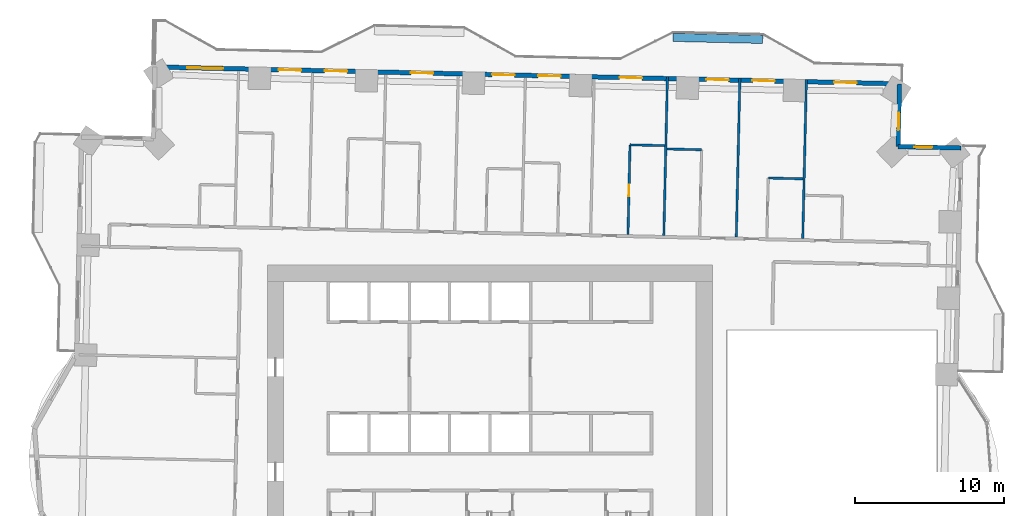
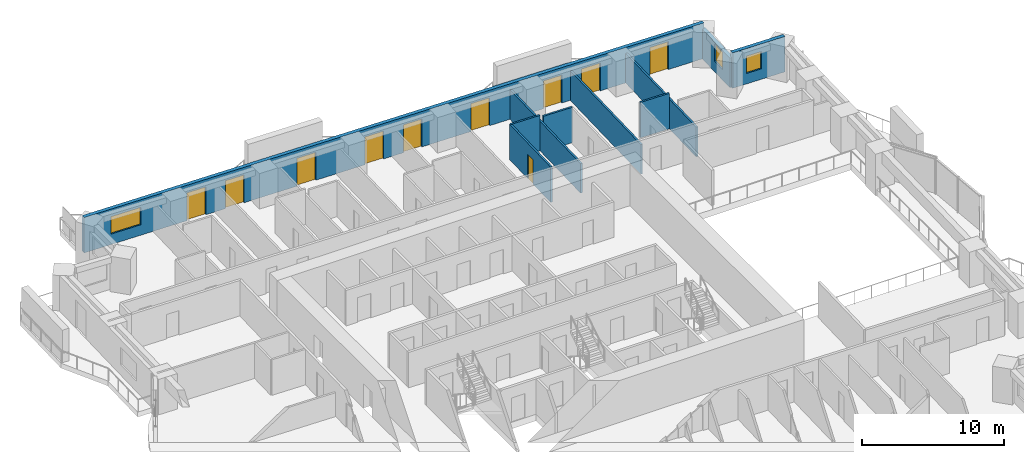
# One storey, part 13 of 19: 11 walls, 10 doors, 3 windows, 13 openings.
"""IFC4 building model written with IfcOpenShell, lengths in metres."""

from ifc_helpers import new_model, si_unit, direction, frame, frame_2d, origin, place, context, subcontext, project, spatial, rectangle, extrude, material, layer, layer_set, type_object, element, fill, save


model = new_model("IFC4")

# Units and contexts
model_context = context("Model", 3, precision=1e-05, world=origin(), true_north=direction((0.0, 1.0)))
body_context = subcontext(model_context, "Body", "Model", "MODEL_VIEW")
ifc_project = project(units=[si_unit("LENGTHUNIT", "METRE"), si_unit("AREAUNIT", "SQUARE_METRE"), si_unit("VOLUMEUNIT", "CUBIC_METRE"), si_unit("PLANEANGLEUNIT", "RADIAN"), si_unit("MASSUNIT", "GRAM", prefix="KILO")], contexts=[model_context])

# Site, building, storey
site_placement = place(None, origin())
site = spatial("IfcSite", under=ifc_project, at=site_placement, CompositionType="ELEMENT")
building_placement = place(site_placement, origin())
building = spatial("IfcBuilding", under=site, at=building_placement, Name="Mangrove Gate Tower", CompositionType="ELEMENT")
storey_placement = place(building_placement, frame((0.0, 0.0, 63.89990234375)))
storey = spatial("IfcBuildingStorey", under=building, at=storey_placement, Name="L15", CompositionType="ELEMENT", Elevation=63.89990234375)

# Wall, opening, window
ifc_material_1 = material(Name="Limestone", Category="masonry")
ifc_layer_1 = layer(ifc_material_1, 0.0400390625, Name="Limestone cladding")
ifc_material_2 = material(Name="Ventilated air gap")
ifc_layer_2 = layer(ifc_material_2, 0.0400390625, Name="Ventilated cavity")
ifc_material_3 = material(Name="Mineral wool insulation")
ifc_layer_3 = layer(ifc_material_3, 0.06005859375, Name="Insulation")
ifc_material_4 = material(Name="Breather membrane")
ifc_layer_4 = layer(ifc_material_4, 0.001953125, Name="Breather membrane")
ifc_material_5 = material(Name="Concrete C20/25 blockwork", Category="masonry")
ifc_layer_5 = layer(ifc_material_5, 0.14990234375, Name="Blockwork backing wall")
ifc_material_6 = material(Name="Gypsum plaster")
ifc_layer_6 = layer(ifc_material_6, 0.008056640625, Name="Internal plaster")
ifc_layer_set_1 = layer_set([ifc_layer_1, ifc_layer_2, ifc_layer_3, ifc_layer_4, ifc_layer_5, ifc_layer_6], Name="External wall 300 limestone cladding")
wall_type_1 = type_object("IfcWallType", Name="External wall 300 limestone cladding", PredefinedType="SOLIDWALL", material=ifc_layer_set_1)
wall_1_placement = place(storey_placement, frame((31.510986328125, 19.72705078125, 0.0), z_axis=(0.0, 0.0, 1.0), x_axis=(-0.999744320311, 0.022611811187, 0.0)))
wall_1 = element("IfcWall", 1, at=wall_1_placement, inside=storey, type_object=wall_type_1, Name="WALL-L15-N3", PredefinedType="SOLIDWALL", context=body_context, shape_type="SweptSolid", body=[
    extrude(rectangle(XDim=4.199951171875, YDim=0.300048828125, at=frame_2d((2.10009765625, 0.0))), origin(), (0.0, 0.0, 1.0), 3.050048828125),
])
opening_1_placement = place(wall_1_placement, frame((1.902099609375, 0.0, 0.89990234375)))
opening_1 = element("IfcOpeningElement", 2, at=opening_1_placement, cuts=wall_1, Name="Opening W1", PredefinedType="OPENING", context=body_context, shape_type="SweptSolid", body=[
    extrude(rectangle(XDim=1.199951171875, YDim=1.5, at=frame_2d((0.60009765625, 0.75))), frame((0.0, 0.159912109375, 0.0), z_axis=(0.0, -1.0, 0.0), x_axis=(1.0, 0.0, 0.0)), (0.0, 0.0, 1.0), 0.320068359375),
])
ifc_material_7 = material(Name="Aluminium frame with double-glazed low-e glass", Category="aluminium")
window_type_1 = type_object("IfcWindowType", Name="Side lite 1200x1500", PartitioningType="SINGLE_PANEL", PredefinedType="WINDOW", material=ifc_material_7)
window_1_placement = place(opening_1_placement, origin())
window_1 = element("IfcWindow", 3, at=window_1_placement, inside=storey, type_object=window_type_1, Name="WIN-L15-N3-1", OverallHeight=1.5, OverallWidth=1.199951171875, PartitioningType="SINGLE_PANEL", PredefinedType="WINDOW", context=body_context, shape_type="SweptSolid", body=[
    extrude(rectangle(XDim=1.199951171875, YDim=1.5, at=frame_2d((0.60009765625, 0.75))), frame((0.0, 0.030029296875, 0.0), z_axis=(0.0, -1.0, 0.0), x_axis=(1.0, 0.0, 0.0)), (0.0, 0.0, 1.0), 0.06005859375),
])
fill(opening_1, window_1)

wall_2_placement = place(storey_placement, frame((27.31201171875, 19.822021484375, 0.0), z_axis=(0.0, 0.0, 1.0), x_axis=(0.022611811187, 0.999744320311, 0.0)))
wall_2 = element("IfcWall", 4, at=wall_2_placement, inside=storey, type_object=wall_type_1, Name="WALL-L15-E4", PredefinedType="SOLIDWALL", context=body_context, shape_type="SweptSolid", body=[
    extrude(rectangle(XDim=4.199951171875, YDim=0.300048828125, at=frame_2d((2.10009765625, 0.0))), origin(), (0.0, 0.0, 1.0), 2.550048828125),
])
opening_2_placement = place(wall_2_placement, frame((1.0791015625, 0.0, 0.89990234375)))
opening_2 = element("IfcOpeningElement", 5, at=opening_2_placement, cuts=wall_2, Name="Opening W1", PredefinedType="OPENING", context=body_context, shape_type="SweptSolid", body=[
    extrude(rectangle(XDim=1.199951171875, YDim=1.5, at=frame_2d((0.60009765625, 0.75))), frame((0.0, 0.159912109375, 0.0), z_axis=(0.0, -1.0, 0.0), x_axis=(1.0, 0.0, 0.0)), (0.0, 0.0, 1.0), 0.320068359375),
])
window_2_placement = place(opening_2_placement, origin())
window_2 = element("IfcWindow", 6, at=window_2_placement, inside=storey, type_object=window_type_1, Name="WIN-L15-E4-1", OverallHeight=1.5, OverallWidth=1.199951171875, PartitioningType="SINGLE_PANEL", PredefinedType="WINDOW", context=body_context, shape_type="SweptSolid", body=[
    extrude(rectangle(XDim=1.199951171875, YDim=1.5, at=frame_2d((0.60009765625, 0.75))), frame((0.0, 0.030029296875, 0.0), z_axis=(0.0, -1.0, 0.0), x_axis=(1.0, 0.0, 0.0)), (0.0, 0.0, 1.0), 0.06005859375),
])
fill(opening_2, window_2)

# Wall, openings, doors, window
wall_3_placement = place(storey_placement, frame((27.406982421875, 24.02099609375, 0.0), z_axis=(0.0, 0.0, 1.0), x_axis=(-0.99974239923, 0.022696589664, 0.0)))
wall_3 = element("IfcWall", 7, at=wall_3_placement, inside=storey, type_object=wall_type_1, Name="WALL-L15-N5", PredefinedType="SOLIDWALL", context=body_context, shape_type="SweptSolid", body=[
    extrude(rectangle(XDim=49.8359375, YDim=0.300048828125, at=frame_2d((24.91796875, 0.0))), origin(), (0.0, 0.0, 1.0), 3.050048828125),
])
opening_3_placement = place(wall_3_placement, frame((2.87109375, 0.0, 0.0)))
opening_3 = element("IfcOpeningElement", 8, at=opening_3_placement, cuts=wall_3, Name="Opening BD1", PredefinedType="OPENING", context=body_context, shape_type="SweptSolid", body=[
    extrude(rectangle(XDim=1.5, YDim=2.39990234375, at=frame_2d((0.75, 1.199951171875))), frame((0.0, 0.159912109375, 0.0), z_axis=(0.0, -1.0, 0.0), x_axis=(1.0, 0.0, 0.0)), (0.0, 0.0, 1.0), 0.320068359375),
])
opening_4_placement = place(wall_3_placement, frame((8.34912109375, 0.0, 0.0)))
opening_4 = element("IfcOpeningElement", 9, at=opening_4_placement, cuts=wall_3, Name="Opening BD1", PredefinedType="OPENING", context=body_context, shape_type="SweptSolid", body=[
    extrude(rectangle(XDim=1.5, YDim=2.39990234375, at=frame_2d((0.75, 1.199951171875))), frame((0.0, 0.159912109375, 0.0), z_axis=(0.0, -1.0, 0.0), x_axis=(1.0, 0.0, 0.0)), (0.0, 0.0, 1.0), 0.320068359375),
])
opening_5_placement = place(wall_3_placement, frame((11.429931640625, 0.0, 0.0)))
opening_5 = element("IfcOpeningElement", 10, at=opening_5_placement, cuts=wall_3, Name="Opening BD1", PredefinedType="OPENING", context=body_context, shape_type="SweptSolid", body=[
    extrude(rectangle(XDim=1.5, YDim=2.39990234375, at=frame_2d((0.75, 1.199951171875))), frame((0.0, 0.159912109375, 0.0), z_axis=(0.0, -1.0, 0.0), x_axis=(1.0, 0.0, 0.0)), (0.0, 0.0, 1.0), 0.320068359375),
])
opening_6_placement = place(wall_3_placement, frame((17.236083984375, 0.0, 0.0)))
opening_6 = element("IfcOpeningElement", 11, at=opening_6_placement, cuts=wall_3, Name="Opening BD1", PredefinedType="OPENING", context=body_context, shape_type="SweptSolid", body=[
    extrude(rectangle(XDim=1.5, YDim=2.39990234375, at=frame_2d((0.75, 1.199951171875))), frame((0.0, 0.159912109375, 0.0), z_axis=(0.0, -1.0, 0.0), x_axis=(1.0, 0.0, 0.0)), (0.0, 0.0, 1.0), 0.320068359375),
])
opening_7_placement = place(wall_3_placement, frame((22.68603515625, 0.0, 0.0)))
opening_7 = element("IfcOpeningElement", 12, at=opening_7_placement, cuts=wall_3, Name="Opening BD1", PredefinedType="OPENING", context=body_context, shape_type="SweptSolid", body=[
    extrude(rectangle(XDim=1.5, YDim=2.39990234375, at=frame_2d((0.75, 1.199951171875))), frame((0.0, 0.159912109375, 0.0), z_axis=(0.0, -1.0, 0.0), x_axis=(1.0, 0.0, 0.0)), (0.0, 0.0, 1.0), 0.320068359375),
])
opening_8_placement = place(wall_3_placement, frame((25.76708984375, 0.0, 0.0)))
opening_8 = element("IfcOpeningElement", 13, at=opening_8_placement, cuts=wall_3, Name="Opening BD1", PredefinedType="OPENING", context=body_context, shape_type="SweptSolid", body=[
    extrude(rectangle(XDim=1.5, YDim=2.39990234375, at=frame_2d((0.75, 1.199951171875))), frame((0.0, 0.159912109375, 0.0), z_axis=(0.0, -1.0, 0.0), x_axis=(1.0, 0.0, 0.0)), (0.0, 0.0, 1.0), 0.320068359375),
])
opening_9_placement = place(wall_3_placement, frame((31.2109375, 0.0, 0.0)))
opening_9 = element("IfcOpeningElement", 14, at=opening_9_placement, cuts=wall_3, Name="Opening BD1", PredefinedType="OPENING", context=body_context, shape_type="SweptSolid", body=[
    extrude(rectangle(XDim=1.5, YDim=2.39990234375, at=frame_2d((0.75, 1.199951171875))), frame((0.0, 0.159912109375, 0.0), z_axis=(0.0, -1.0, 0.0), x_axis=(1.0, 0.0, 0.0)), (0.0, 0.0, 1.0), 0.320068359375),
])
opening_10_placement = place(wall_3_placement, frame((36.97412109375, 0.0, 0.0)))
opening_10 = element("IfcOpeningElement", 15, at=opening_10_placement, cuts=wall_3, Name="Opening BD1", PredefinedType="OPENING", context=body_context, shape_type="SweptSolid", body=[
    extrude(rectangle(XDim=1.5, YDim=2.39990234375, at=frame_2d((0.75, 1.199951171875))), frame((0.0, 0.159912109375, 0.0), z_axis=(0.0, -1.0, 0.0), x_axis=(1.0, 0.0, 0.0)), (0.0, 0.0, 1.0), 0.320068359375),
])
opening_11_placement = place(wall_3_placement, frame((40.054931640625, 0.0, 0.0)))
opening_11 = element("IfcOpeningElement", 16, at=opening_11_placement, cuts=wall_3, Name="Opening BD1", PredefinedType="OPENING", context=body_context, shape_type="SweptSolid", body=[
    extrude(rectangle(XDim=1.5, YDim=2.39990234375, at=frame_2d((0.75, 1.199951171875))), frame((0.0, 0.159912109375, 0.0), z_axis=(0.0, -1.0, 0.0), x_axis=(1.0, 0.0, 0.0)), (0.0, 0.0, 1.0), 0.320068359375),
])
opening_12_placement = place(wall_3_placement, frame((45.281982421875, 0.0, 0.89990234375)))
opening_12 = element("IfcOpeningElement", 17, at=opening_12_placement, cuts=wall_3, Name="Opening W2", PredefinedType="OPENING", context=body_context, shape_type="SweptSolid", body=[
    extrude(rectangle(XDim=2.39990234375, YDim=1.5, at=frame_2d((1.199951171875, 0.75))), frame((0.0, 0.159912109375, 0.0), z_axis=(0.0, -1.0, 0.0), x_axis=(1.0, 0.0, 0.0)), (0.0, 0.0, 1.0), 0.320068359375),
])
ifc_material_8 = material(Name="Aluminium frame with laminated clear glass", Category="aluminium")
door_type_1 = type_object("IfcDoorType", Name="Balcony sliding door 1500x2400", OperationType="SLIDING_TO_LEFT", PredefinedType="DOOR", material=ifc_material_8)
door_1_placement = place(opening_3_placement, origin())
door_1 = element("IfcDoor", 18, at=door_1_placement, inside=storey, type_object=door_type_1, Name="DOOR-L15-N5-1", OperationType="SLIDING_TO_LEFT", OverallHeight=2.39990234375, OverallWidth=1.5, PredefinedType="DOOR", context=body_context, shape_type="SweptSolid", body=[
    extrude(rectangle(XDim=1.5, YDim=2.39990234375, at=frame_2d((0.75, 1.199951171875))), frame((0.0, 0.02490234375, 0.0), z_axis=(0.0, -1.0, 0.0), x_axis=(1.0, 0.0, 0.0)), (0.0, 0.0, 1.0), 0.050048828125),
])
fill(opening_3, door_1)
door_2_placement = place(opening_4_placement, origin())
door_2 = element("IfcDoor", 19, at=door_2_placement, inside=storey, type_object=door_type_1, Name="DOOR-L15-N5-2", OperationType="SLIDING_TO_LEFT", OverallHeight=2.39990234375, OverallWidth=1.5, PredefinedType="DOOR", context=body_context, shape_type="SweptSolid", body=[
    extrude(rectangle(XDim=1.5, YDim=2.39990234375, at=frame_2d((0.75, 1.199951171875))), frame((0.0, 0.02490234375, 0.0), z_axis=(0.0, -1.0, 0.0), x_axis=(1.0, 0.0, 0.0)), (0.0, 0.0, 1.0), 0.050048828125),
])
fill(opening_4, door_2)
door_3_placement = place(opening_5_placement, origin())
door_3 = element("IfcDoor", 20, at=door_3_placement, inside=storey, type_object=door_type_1, Name="DOOR-L15-N5-3", OperationType="SLIDING_TO_LEFT", OverallHeight=2.39990234375, OverallWidth=1.5, PredefinedType="DOOR", context=body_context, shape_type="SweptSolid", body=[
    extrude(rectangle(XDim=1.5, YDim=2.39990234375, at=frame_2d((0.75, 1.199951171875))), frame((0.0, 0.02490234375, 0.0), z_axis=(0.0, -1.0, 0.0), x_axis=(1.0, 0.0, 0.0)), (0.0, 0.0, 1.0), 0.050048828125),
])
fill(opening_5, door_3)
door_4_placement = place(opening_6_placement, origin())
door_4 = element("IfcDoor", 21, at=door_4_placement, inside=storey, type_object=door_type_1, Name="DOOR-L15-N5-4", OperationType="SLIDING_TO_LEFT", OverallHeight=2.39990234375, OverallWidth=1.5, PredefinedType="DOOR", context=body_context, shape_type="SweptSolid", body=[
    extrude(rectangle(XDim=1.5, YDim=2.39990234375, at=frame_2d((0.75, 1.199951171875))), frame((0.0, 0.02490234375, 0.0), z_axis=(0.0, -1.0, 0.0), x_axis=(1.0, 0.0, 0.0)), (0.0, 0.0, 1.0), 0.050048828125),
])
fill(opening_6, door_4)
door_5_placement = place(opening_7_placement, origin())
door_5 = element("IfcDoor", 22, at=door_5_placement, inside=storey, type_object=door_type_1, Name="DOOR-L15-N5-5", OperationType="SLIDING_TO_LEFT", OverallHeight=2.39990234375, OverallWidth=1.5, PredefinedType="DOOR", context=body_context, shape_type="SweptSolid", body=[
    extrude(rectangle(XDim=1.5, YDim=2.39990234375, at=frame_2d((0.75, 1.199951171875))), frame((0.0, 0.02490234375, 0.0), z_axis=(0.0, -1.0, 0.0), x_axis=(1.0, 0.0, 0.0)), (0.0, 0.0, 1.0), 0.050048828125),
])
fill(opening_7, door_5)
door_6_placement = place(opening_8_placement, origin())
door_6 = element("IfcDoor", 23, at=door_6_placement, inside=storey, type_object=door_type_1, Name="DOOR-L15-N5-6", OperationType="SLIDING_TO_LEFT", OverallHeight=2.39990234375, OverallWidth=1.5, PredefinedType="DOOR", context=body_context, shape_type="SweptSolid", body=[
    extrude(rectangle(XDim=1.5, YDim=2.39990234375, at=frame_2d((0.75, 1.199951171875))), frame((0.0, 0.02490234375, 0.0), z_axis=(0.0, -1.0, 0.0), x_axis=(1.0, 0.0, 0.0)), (0.0, 0.0, 1.0), 0.050048828125),
])
fill(opening_8, door_6)
door_7_placement = place(opening_9_placement, origin())
door_7 = element("IfcDoor", 24, at=door_7_placement, inside=storey, type_object=door_type_1, Name="DOOR-L15-N5-7", OperationType="SLIDING_TO_LEFT", OverallHeight=2.39990234375, OverallWidth=1.5, PredefinedType="DOOR", context=body_context, shape_type="SweptSolid", body=[
    extrude(rectangle(XDim=1.5, YDim=2.39990234375, at=frame_2d((0.75, 1.199951171875))), frame((0.0, 0.02490234375, 0.0), z_axis=(0.0, -1.0, 0.0), x_axis=(1.0, 0.0, 0.0)), (0.0, 0.0, 1.0), 0.050048828125),
])
fill(opening_9, door_7)
door_8_placement = place(opening_10_placement, origin())
door_8 = element("IfcDoor", 25, at=door_8_placement, inside=storey, type_object=door_type_1, Name="DOOR-L15-N5-8", OperationType="SLIDING_TO_LEFT", OverallHeight=2.39990234375, OverallWidth=1.5, PredefinedType="DOOR", context=body_context, shape_type="SweptSolid", body=[
    extrude(rectangle(XDim=1.5, YDim=2.39990234375, at=frame_2d((0.75, 1.199951171875))), frame((0.0, 0.02490234375, 0.0), z_axis=(0.0, -1.0, 0.0), x_axis=(1.0, 0.0, 0.0)), (0.0, 0.0, 1.0), 0.050048828125),
])
fill(opening_10, door_8)
door_9_placement = place(opening_11_placement, origin())
door_9 = element("IfcDoor", 26, at=door_9_placement, inside=storey, type_object=door_type_1, Name="DOOR-L15-N5-9", OperationType="SLIDING_TO_LEFT", OverallHeight=2.39990234375, OverallWidth=1.5, PredefinedType="DOOR", context=body_context, shape_type="SweptSolid", body=[
    extrude(rectangle(XDim=1.5, YDim=2.39990234375, at=frame_2d((0.75, 1.199951171875))), frame((0.0, 0.02490234375, 0.0), z_axis=(0.0, -1.0, 0.0), x_axis=(1.0, 0.0, 0.0)), (0.0, 0.0, 1.0), 0.050048828125),
])
fill(opening_11, door_9)
ifc_material_9 = material(Name="Aluminium frame with double-glazed low-e glass", Category="aluminium")
window_type_2 = type_object("IfcWindowType", Name="Corner room window 2400x1500", PartitioningType="DOUBLE_PANEL_VERTICAL", PredefinedType="WINDOW", material=ifc_material_9)
window_3_placement = place(opening_12_placement, origin())
window_3 = element("IfcWindow", 27, at=window_3_placement, inside=storey, type_object=window_type_2, Name="WIN-L15-N5-10", OverallHeight=1.5, OverallWidth=2.39990234375, PartitioningType="DOUBLE_PANEL_VERTICAL", PredefinedType="WINDOW", context=body_context, shape_type="SweptSolid", body=[
    extrude(rectangle(XDim=2.39990234375, YDim=1.5, at=frame_2d((1.199951171875, 0.75))), frame((0.0, 0.030029296875, 0.0), z_axis=(0.0, -1.0, 0.0), x_axis=(1.0, 0.0, 0.0)), (0.0, 0.0, 1.0), 0.06005859375),
])
fill(opening_12, window_3)

# Wall, opening, door
ifc_material_10 = material(Name="Gypsum board on steel stud, EI 60", Category="steel")
ifc_layer_7 = layer(ifc_material_10, 0.14990234375)
ifc_layer_set_2 = layer_set([ifc_layer_7], Name="Party wall 150 EI 60")
wall_type_2 = type_object("IfcWallType", Name="Party wall 150 EI 60", PredefinedType="PARTITIONING", material=ifc_layer_set_2)
wall_4_placement = place(storey_placement, frame((9.235107421875, 13.930908203125, 0.0), z_axis=(0.0, 0.0, 1.0), x_axis=(0.022790616683, 0.999740260163, 0.0)))
wall_4 = element("IfcWall", 28, at=wall_4_placement, inside=storey, type_object=wall_type_2, Name="WALL-L15-070", PredefinedType="PARTITIONING", context=body_context, shape_type="SweptSolid", body=[
    extrude(rectangle(XDim=6.009521484375, YDim=0.14990234375, at=frame_2d((3.0048828125, 0.0))), origin(), (0.0, 0.0, 1.0), 3.050048828125),
])
opening_13_placement = place(wall_4_placement, frame((2.554931640625, 0.0, 0.0)))
opening_13 = element("IfcOpeningElement", 29, at=opening_13_placement, cuts=wall_4, Name="Opening ED", PredefinedType="OPENING", context=body_context, shape_type="SweptSolid", body=[
    extrude(rectangle(XDim=0.800048828125, YDim=2.10009765625, at=frame_2d((0.39990234375, 1.050048828125))), frame((0.0, 0.0849609375, 0.0), z_axis=(0.0, -1.0, 0.0), x_axis=(1.0, 0.0, 0.0)), (0.0, 0.0, 1.0), 0.169921875),
])
ifc_material_11 = material(Name="Timber door leaf", Category="wood")
door_type_2 = type_object("IfcDoorType", Name="En-suite door 800", OperationType="SINGLE_SWING_LEFT", PredefinedType="DOOR", material=ifc_material_11)
door_10_placement = place(opening_13_placement, origin())
door_10 = element("IfcDoor", 30, at=door_10_placement, inside=storey, type_object=door_type_2, Name="DOOR-L15-ENS-c412", OperationType="SINGLE_SWING_RIGHT", OverallHeight=2.10009765625, OverallWidth=0.800048828125, PredefinedType="DOOR", context=body_context, shape_type="SweptSolid", body=[
    extrude(rectangle(XDim=0.800048828125, YDim=2.10009765625, at=frame_2d((0.39990234375, 1.050048828125))), frame((0.0, 0.02490234375, 0.0), z_axis=(0.0, -1.0, 0.0), x_axis=(1.0, 0.0, 0.0)), (0.0, 0.0, 1.0), 0.050048828125),
])
fill(opening_13, door_10)

# Walls
for number, where, z_axis, x_axis, name in (
    (31, (11.635009765625, 13.8759765625, 0.0), (0.0, 0.0, 1.0), (0.022624555408, 0.999744031986, 0.0), "WALL-L15-071"),
    (32, (16.48388671875, 13.76611328125, 0.0), (0.0, 0.0, 1.0), (0.022647466205, 0.999743513245, 0.0), "WALL-L15-073"),
    (33, (20.931884765625, 13.6650390625, 0.0), (0.0, 0.0, 1.0), (0.022739109038, 0.999741433032, 0.0), "WALL-L15-075"),
):
    element("IfcWall", number, at=place(storey_placement, frame(where, z_axis=z_axis, x_axis=x_axis)), inside=storey, type_object=wall_type_2, Name=name, PredefinedType="PARTITIONING", context=body_context, shape_type="SweptSolid", body=[
        extrude(rectangle(XDim=10.650634765625, YDim=0.14990234375, at=frame_2d((5.3251953125, 0.0))), origin(), (0.0, 0.0, 1.0), 2.550048828125),
    ])
wall_5_placement = place(storey_placement, frame((18.6259765625, 17.718994140625, 0.0), z_axis=(0.0, 0.0, 1.0), x_axis=(0.999740260747, -0.02279059109, 0.0)))
element("IfcWall", 34, at=wall_5_placement, inside=storey, type_object=wall_type_2, Name="WALL-L15-079", PredefinedType="PARTITIONING", context=body_context, shape_type="SweptSolid", body=[
    extrude(rectangle(XDim=2.324462890625, YDim=0.14990234375, at=frame_2d((1.162109375, 0.0))), origin(), (0.0, 0.0, 1.0), 3.050048828125),
])
wall_6_placement = place(storey_placement, frame((11.843017578125, 19.6630859375, 0.0), z_axis=(0.0, 0.0, 1.0), x_axis=(0.999740478815, -0.022781023197, 0.0)))
element("IfcWall", 35, at=wall_6_placement, inside=storey, type_object=wall_type_2, Name="WALL-L15-083", PredefinedType="PARTITIONING", context=body_context, shape_type="SweptSolid", body=[
    extrude(rectangle(XDim=2.325439453125, YDim=0.14990234375, at=frame_2d((1.16259765625, 0.0))), origin(), (0.0, 0.0, 1.0), 3.050048828125),
])
wall_7_placement = place(storey_placement, frame((9.3740234375, 19.93896484375, 0.0), z_axis=(0.0, 0.0, 1.0), x_axis=(0.999740260747, -0.02279059109, 0.0)))
element("IfcWall", 36, at=wall_7_placement, inside=storey, type_object=wall_type_2, Name="WALL-L15-085", PredefinedType="PARTITIONING", context=body_context, shape_type="SweptSolid", body=[
    extrude(rectangle(XDim=2.324462890625, YDim=0.14990234375, at=frame_2d((1.162109375, 0.0))), origin(), (0.0, 0.0, 1.0), 3.050048828125),
])
ifc_material_12 = material(Name="Concrete C32/40", Category="concrete")
ifc_layer_8 = layer(ifc_material_12, 0.199951171875, Name="Planter trough wall")
ifc_material_13 = material(Name="Bituminous waterproofing membrane")
ifc_layer_9 = layer(ifc_material_13, 0.0048828125, Name="Waterproofing")
ifc_material_14 = material(Name="Drainage board and gravel")
ifc_layer_10 = layer(ifc_material_14, 0.044921875, Name="Drainage layer")
ifc_material_15 = material(Name="Planting soil")
ifc_layer_11 = layer(ifc_material_15, 0.300048828125, Name="Growing medium")
ifc_layer_set_3 = layer_set([ifc_layer_8, ifc_layer_9, ifc_layer_10, ifc_layer_11], Name="Planter wall 550 C32/40")
wall_type_3 = type_object("IfcWallType", Name="Planter wall 550 C32/40", PredefinedType="USERDEFINED", material=ifc_layer_set_3)
wall_8_placement = place(storey_placement, frame((12.256103515625, 27.131103515625, 0.0), z_axis=(0.0, 0.0, 1.0), x_axis=(0.999743073592, -0.022666865795, 0.0)))
element("IfcWall", 37, at=wall_8_placement, inside=storey, type_object=wall_type_3, Name="PLANTER L15 N0.1", ObjectType="PLANTER", PredefinedType="USERDEFINED", context=body_context, shape_type="SweptSolid", body=[
    extrude(rectangle(XDim=5.999267578125, YDim=0.550048828125, at=frame_2d((2.99951171875, 0.0))), origin(), (0.0, 0.0, 1.0), 0.800048828125),
])

save(model, "model.ifc")
